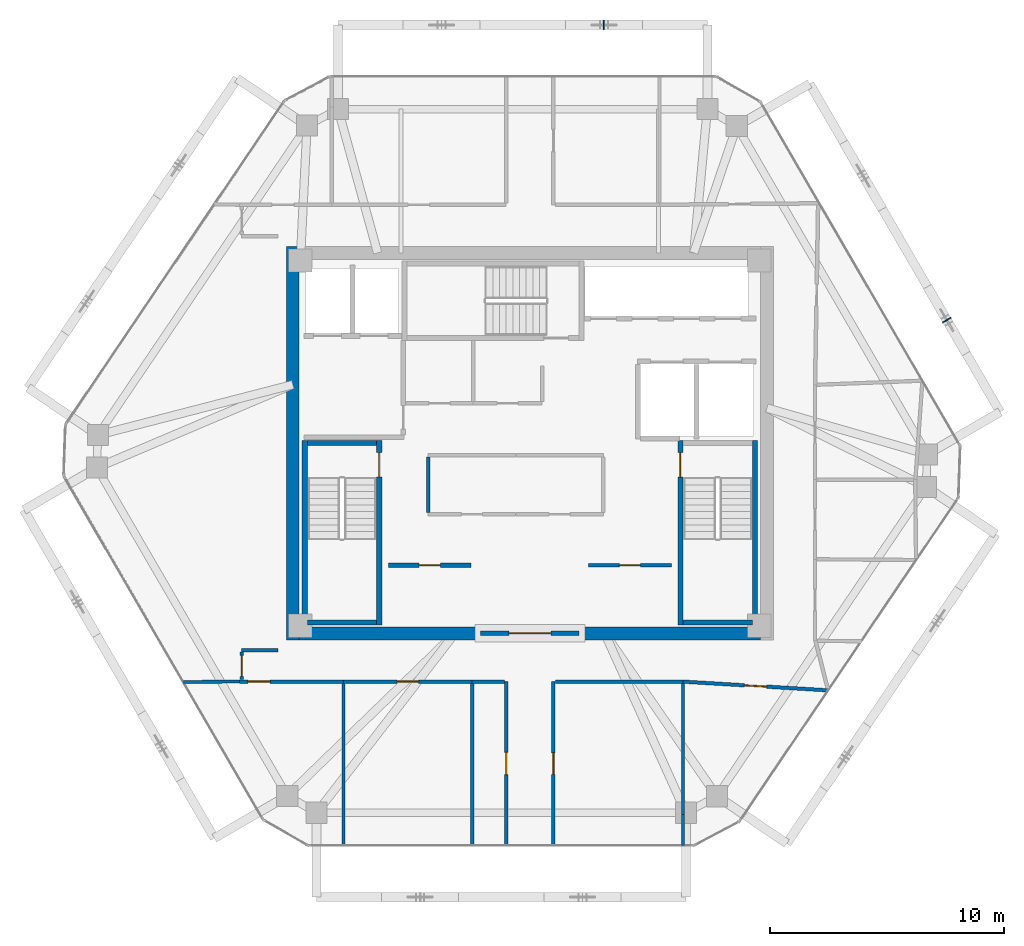
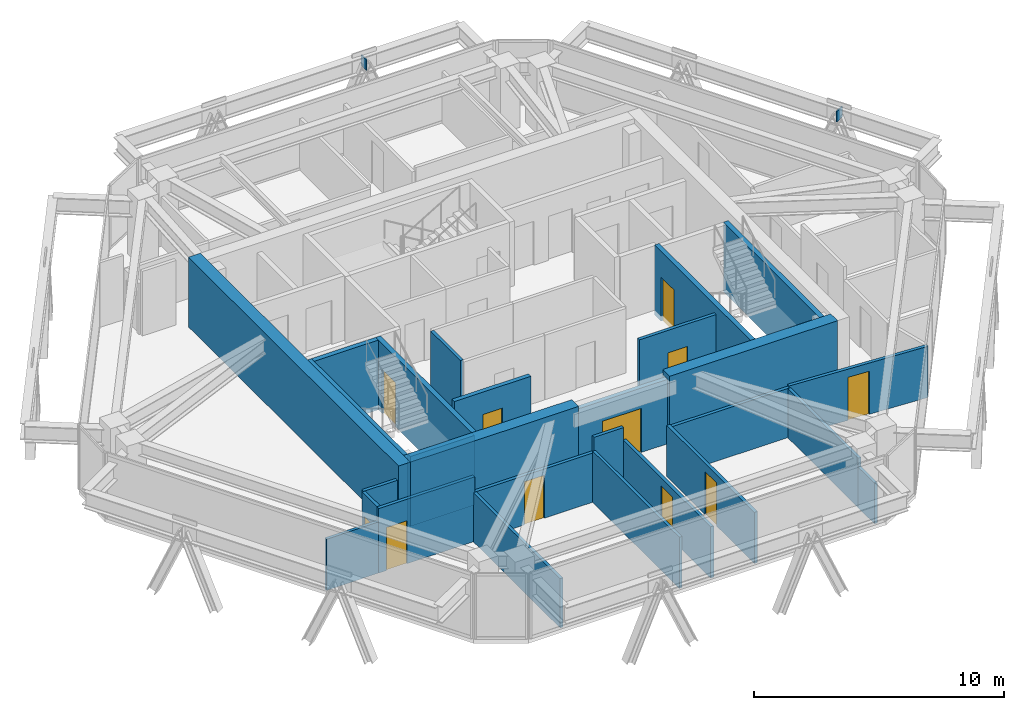
# One storey, part 9 of 13: 28 walls, 11 doors, 2 plates, 11 openings.
"""IFC4 building model written with IfcOpenShell, lengths in metres."""

from ifc_helpers import new_model, si_unit, direction, frame, frame_2d, origin, origin_2d, place, context, subcontext, project, spatial, rectangle, extrude, source, transform, mapped, material, layer, layer_set, type_object, type_shapes, element, fill, save


model = new_model("IFC4")

# Units and contexts
model_context = context("Model", 3, precision=1e-05, world=origin(), true_north=direction((0.0, 1.0)))
body_context = subcontext(model_context, "Body", "Model", "MODEL_VIEW")
ifc_project = project(units=[si_unit("LENGTHUNIT", "METRE"), si_unit("AREAUNIT", "SQUARE_METRE"), si_unit("VOLUMEUNIT", "CUBIC_METRE"), si_unit("PLANEANGLEUNIT", "RADIAN"), si_unit("MASSUNIT", "GRAM", prefix="KILO")], contexts=[model_context])

# Site, building, storey
site_placement = place(None, origin())
site = spatial("IfcSite", under=ifc_project, at=site_placement, CompositionType="ELEMENT")
building_placement = place(site_placement, origin())
building = spatial("IfcBuilding", under=site, at=building_placement, Name="Durnholm Broadcast Tower", CompositionType="ELEMENT")
storey_placement = place(building_placement, frame((0.0, 0.0, 254.699951171875)))
storey = spatial("IfcBuildingStorey", under=building, at=storey_placement, Name="L71", CompositionType="ELEMENT", Elevation=254.699951171875)

# Plates
ifc_material_1 = material(Name="Steel ASTM A572 Grade 50", Category="steel")
ifc_layer_1 = layer(ifc_material_1, 0.044921875)
ifc_layer_set_1 = layer_set([ifc_layer_1], Name="Steel ASTM A572 Grade 50")
plate_type = type_object("IfcPlateType", Name="PLT-KN-STIF", PredefinedType="SHEET", material=ifc_layer_set_1)
shared_shape_1 = source(origin(), body_context, "Body", "SweptSolid", [
    extrude(rectangle(XDim=0.044921875, YDim=0.419921875, at=origin_2d()), origin(), (0.0, 0.0, 1.0), 0.52001953125),
])
type_shapes(plate_type, [shared_shape_1])
for number, where, z_axis, x_axis, name in (
    (1, (17.806640625, 5.2548828125, 2.1484375), (0.0, 0.0, 1.0), (-0.501963660617, 0.864888711581, 0.0), "L71 welded diagrid node stiffener plate F3"),
    (2, (3.164794921875, 17.862060546875, 2.1484375), (0.0, 0.0, 1.0), (-1.0, 0.0, 0.0), "L71 welded diagrid node stiffener plate F4"),
):
    element("IfcPlate", number, at=place(storey_placement, frame(where, z_axis=z_axis, x_axis=x_axis)), inside=storey, type_object=plate_type, Name=name, PredefinedType="SHEET", context=body_context, shape_type="MappedRepresentation", body=[
        mapped(shared_shape_1, transform((0.0, 0.0, 0.0), x_axis=(1.0, 0.0, 0.0), y_axis=(0.0, 1.0, 0.0), z_axis=(0.0, 0.0, 1.0), scale=1.0)),
    ])

# Walls
ifc_material_2 = material(Name="Concrete C70/85", Category="concrete")
ifc_layer_2 = layer(ifc_material_2, 0.550048828125)
ifc_layer_set_2 = layer_set([ifc_layer_2], Name="Concrete C70/85")
wall_type_1 = type_object("IfcWallType", Name="WALL-CW-550", PredefinedType="SHEAR", material=ifc_layer_set_2)
wall_1_placement = place(storey_placement, frame((-10.125, -8.39990234375, 0.0), z_axis=(0.0, 0.0, 1.0), x_axis=(0.0, 1.0, 0.0)))
element("IfcWall", 3, at=wall_1_placement, inside=storey, type_object=wall_type_1, Name="L71 central core shear wall CW-WEST", PredefinedType="SHEAR", context=body_context, shape_type="SweptSolid", body=[
    extrude(rectangle(XDim=16.7998046875, YDim=0.550048828125, at=frame_2d((8.39990234375, 0.0))), origin(), (0.0, 0.0, 1.0), 3.400146484375),
])
for number, where, z_axis, x_axis, name in (
    (4, (-9.85009765625, -8.125, 0.0), (0.0, 0.0, 1.0), (1.0, 0.0, 0.0), "L71 central core shear wall CW-S1"),
    (5, (2.10009765625, -8.125, 0.0), (0.0, 0.0, 1.0), (1.0, 0.0, 0.0), "L71 central core shear wall CW-S2"),
):
    element("IfcWall", number, at=place(storey_placement, frame(where, z_axis=z_axis, x_axis=x_axis)), inside=storey, type_object=wall_type_1, Name=name, PredefinedType="SHEAR", context=body_context, shape_type="SweptSolid", body=[
        extrude(rectangle(XDim=7.75, YDim=0.550048828125, at=frame_2d((3.875, 0.0))), origin(), (0.0, 0.0, 1.0), 3.400146484375),
    ])

# Wall, opening, door
ifc_material_3 = material(Name="Fire-Rated Gypsum Shaftwall", Category="concrete")
ifc_layer_3 = layer(ifc_material_3, 0.199951171875)
ifc_layer_set_3 = layer_set([ifc_layer_3], Name="Fire-Rated Gypsum Shaftwall")
wall_type_2 = type_object("IfcWallType", Name="WALL-LOB-200", PredefinedType="SOLIDWALL", material=ifc_layer_set_3)
wall_2_placement = place(storey_placement, frame((-2.10009765625, -8.125, 0.0), z_axis=(0.0, 0.0, 1.0), x_axis=(1.0, 0.0, 0.0)))
wall_2 = element("IfcWall", 6, at=wall_2_placement, inside=storey, type_object=wall_type_2, Name="L71 south core lobby fire screen", PredefinedType="SOLIDWALL", context=body_context, shape_type="SweptSolid", body=[
    extrude(rectangle(XDim=4.2001953125, YDim=0.199951171875, at=frame_2d((2.10009765625, 0.0))), origin(), (0.0, 0.0, 1.0), 3.14501953125),
])
opening_1_placement = place(wall_2_placement, frame((1.199951171875, 0.0, 0.0)))
opening_1 = element("IfcOpeningElement", 7, at=opening_1_placement, cuts=wall_2, Name="Opening DP-60", PredefinedType="OPENING", context=body_context, shape_type="SweptSolid", body=[
    extrude(rectangle(XDim=1.800048828125, YDim=2.14990234375, at=frame_2d((0.89990234375, 1.074951171875))), frame((0.0, 0.10986328125, 0.0), z_axis=(0.0, -1.0, 0.0), x_axis=(1.0, 0.0, 0.0)), (0.0, 0.0, 1.0), 0.219970703125),
])
ifc_material_4 = material(Name="Fire-Rated Double Corridor Door", Category="steel")
ifc_layer_4 = layer(ifc_material_4, 0.050048828125)
ifc_layer_set_4 = layer_set([ifc_layer_4], Name="Fire-Rated Double Corridor Door")
door_type_1 = type_object("IfcDoorType", Name="DOOR-PAIR-FD60", OperationType="DOUBLE_DOOR_SINGLE_SWING", PredefinedType="DOOR", material=ifc_layer_set_4)
shared_shape_2 = source(origin(), body_context, "Body", "SweptSolid", [
    extrude(rectangle(XDim=1.800048828125, YDim=2.14990234375, at=frame_2d((0.89990234375, 1.074951171875))), frame((0.0, 0.02490234375, 0.0), z_axis=(0.0, -1.0, 0.0), x_axis=(1.0, 0.0, 0.0)), (0.0, 0.0, 1.0), 0.050048828125),
])
type_shapes(door_type_1, [shared_shape_2])
door_1_placement = place(opening_1_placement, origin())
door_1 = element("IfcDoor", 8, at=door_1_placement, inside=storey, type_object=door_type_1, Name="L71 south core lobby double fire door", OperationType="DOUBLE_DOOR_SINGLE_SWING", OverallHeight=2.14990234375, OverallWidth=1.800048828125, PredefinedType="DOOR", context=body_context, shape_type="MappedRepresentation", body=[
    mapped(shared_shape_2, transform((0.0, 0.0, 0.0), x_axis=(1.0, 0.0, 0.0), y_axis=(0.0, 1.0, 0.0), z_axis=(0.0, 0.0, 1.0), scale=1.0)),
])
fill(opening_1, door_1)

wall_3_placement = place(storey_placement, frame((-6.0400390625, -5.2099609375, 0.0), z_axis=(0.0, 0.0, 1.0), x_axis=(1.0, 0.0, 0.0)))
wall_3 = element("IfcWall", 9, at=wall_3_placement, inside=storey, type_object=wall_type_2, Name="L71 Broadcast Signal Rack Room corridor partition", PredefinedType="SOLIDWALL", context=body_context, shape_type="SweptSolid", body=[
    extrude(rectangle(XDim=3.530029296875, YDim=0.199951171875, at=frame_2d((1.76513671875, 0.0))), origin(), (0.0, 0.0, 1.0), 3.14501953125),
])
opening_2_placement = place(wall_3_placement, frame((1.31494140625, 0.0, 0.0)))
opening_2 = element("IfcOpeningElement", 10, at=opening_2_placement, cuts=wall_3, Name="Opening DC-60L", PredefinedType="OPENING", context=body_context, shape_type="SweptSolid", body=[
    extrude(rectangle(XDim=0.89990234375, YDim=2.050048828125, at=frame_2d((0.449951171875, 1.02490234375))), frame((0.0, 0.10986328125, 0.0), z_axis=(0.0, -1.0, 0.0), x_axis=(1.0, 0.0, 0.0)), (0.0, 0.0, 1.0), 0.219970703125),
])
ifc_material_5 = material(Name="Fire-Rated Core Service Door", Category="steel")
ifc_layer_5 = layer(ifc_material_5, 0.050048828125)
ifc_layer_set_5 = layer_set([ifc_layer_5], Name="Fire-Rated Core Service Door")
door_type_2 = type_object("IfcDoorType", Name="DOOR-CORE-FD60-L", OperationType="NOTDEFINED", PredefinedType="DOOR", material=ifc_layer_set_5)
shared_shape_3 = source(origin(), body_context, "Body", "SweptSolid", [
    extrude(rectangle(XDim=0.89990234375, YDim=2.050048828125, at=frame_2d((0.449951171875, 1.02490234375))), frame((0.0, 0.02490234375, 0.0), z_axis=(0.0, -1.0, 0.0), x_axis=(1.0, 0.0, 0.0)), (0.0, 0.0, 1.0), 0.050048828125),
])
type_shapes(door_type_2, [shared_shape_3])
door_2_placement = place(opening_2_placement, origin())
door_2 = element("IfcDoor", 11, at=door_2_placement, inside=storey, type_object=door_type_2, Name="L71 Broadcast Signal Rack Room entrance door", OperationType="SINGLE_SWING_LEFT", OverallHeight=2.050048828125, OverallWidth=0.89990234375, PredefinedType="DOOR", context=body_context, shape_type="MappedRepresentation", body=[
    mapped(shared_shape_3, transform((0.0, 0.0, 0.0), x_axis=(1.0, 0.0, 0.0), y_axis=(0.0, 1.0, 0.0), z_axis=(0.0, 0.0, 1.0), scale=1.0)),
])
fill(opening_2, door_2)

# Walls
ifc_material_6 = material(Name="Gypsum Metal Stud Partition", Category="concrete")
ifc_layer_6 = layer(ifc_material_6, 0.135009765625)
ifc_layer_set_6 = layer_set([ifc_layer_6], Name="Gypsum Metal Stud Partition")
wall_type_3 = type_object("IfcWallType", Name="WALL-PART-135", PredefinedType="PARTITIONING", material=ifc_layer_set_6)
wall_4_placement = place(storey_placement, frame((-7.9599609375, -10.259033203125, 0.0), z_axis=(0.0, 0.0, 1.0), x_axis=(0.0, -1.0, 0.0)))
element("IfcWall", 12, at=wall_4_placement, inside=storey, type_object=wall_type_3, Name="L71 room dividing partition 14.15", PredefinedType="PARTITIONING", context=body_context, shape_type="SweptSolid", body=[
    extrude(rectangle(XDim=6.927001953125, YDim=0.135009765625, at=frame_2d((3.46337890625, 0.0))), origin(), (0.0, 0.0, 1.0), 2.4013671875),
])
wall_5_placement = place(storey_placement, frame((-14.801513671875, -10.199951171875, 0.0), z_axis=(0.0, 0.0, 1.0), x_axis=(0.999968020968, 0.007997314604, 0.0)))
element("IfcWall", 13, at=wall_5_placement, inside=storey, type_object=wall_type_3, Name="L71 room dividing partition 14.19", PredefinedType="PARTITIONING", context=body_context, shape_type="SweptSolid", body=[
    extrude(rectangle(XDim=2.41162109375, YDim=0.135009765625, at=frame_2d((1.205810546875, 0.0))), origin(), (0.0, 0.0, 1.0), 2.498779296875),
])
wall_6_placement = place(storey_placement, frame((-2.4599609375, -10.259033203125, 0.0), z_axis=(0.0, 0.0, 1.0), x_axis=(0.0, -1.0, 0.0)))
element("IfcWall", 14, at=wall_6_placement, inside=storey, type_object=wall_type_3, Name="L71 room dividing partition 15.16", PredefinedType="PARTITIONING", context=body_context, shape_type="SweptSolid", body=[
    extrude(rectangle(XDim=6.927001953125, YDim=0.135009765625, at=frame_2d((3.46337890625, 0.0))), origin(), (0.0, 0.0, 1.0), 2.498779296875),
])
wall_7_placement = place(storey_placement, frame((6.5400390625, -10.263916015625, 0.0), z_axis=(0.0, 0.0, 1.0), x_axis=(0.0, -1.0, 0.0)))
element("IfcWall", 15, at=wall_7_placement, inside=storey, type_object=wall_type_3, Name="L71 room dividing partition 17.18", PredefinedType="PARTITIONING", context=body_context, shape_type="SweptSolid", body=[
    extrude(rectangle(XDim=5.606201171875, YDim=0.135009765625, at=frame_2d((2.80322265625, 0.0))), origin(), (0.0, 0.0, 1.0), 2.4013671875),
])
wall_8_placement = place(storey_placement, frame((6.5400390625, -15.8701171875, 0.0), z_axis=(0.0, 0.0, 1.0), x_axis=(0.0, -1.0, 0.0)))
element("IfcWall", 16, at=wall_8_placement, inside=storey, type_object=wall_type_3, Name="L71 room dividing partition 17.18", PredefinedType="PARTITIONING", context=body_context, shape_type="SweptSolid", body=[
    extrude(rectangle(XDim=1.31591796875, YDim=0.135009765625, at=frame_2d((0.657958984375, 0.0))), origin(), (0.0, 0.0, 1.0), 1.97705078125),
])

# Wall, opening, door
ifc_material_7 = material(Name="Acoustic Gypsum Stud Partition", Category="concrete")
ifc_layer_7 = layer(ifc_material_7, 0.14990234375)
ifc_layer_set_7 = layer_set([ifc_layer_7], Name="Acoustic Gypsum Stud Partition")
wall_type_4 = type_object("IfcWallType", Name="WALL-PART-150", PredefinedType="PARTITIONING", material=ifc_layer_set_7)
wall_9_placement = place(storey_placement, frame((2.510009765625, -5.2099609375, 0.0), z_axis=(0.0, 0.0, 1.0), x_axis=(1.0, 0.0, 0.0)))
wall_9 = element("IfcWall", 17, at=wall_9_placement, inside=storey, type_object=wall_type_4, Name="L71 Editorial Beverage Pantry corridor partition", PredefinedType="PARTITIONING", context=body_context, shape_type="SweptSolid", body=[
    extrude(rectangle(XDim=3.530029296875, YDim=0.14990234375, at=frame_2d((1.76513671875, 0.0))), origin(), (0.0, 0.0, 1.0), 3.14501953125),
])
opening_3_placement = place(wall_9_placement, frame((1.31494140625, 0.0, 0.0)))
opening_3 = element("IfcOpeningElement", 18, at=opening_3_placement, cuts=wall_9, Name="Opening DC-60R", PredefinedType="OPENING", context=body_context, shape_type="SweptSolid", body=[
    extrude(rectangle(XDim=0.89990234375, YDim=2.050048828125, at=frame_2d((0.449951171875, 1.02490234375))), frame((0.0, 0.0849609375, 0.0), z_axis=(0.0, -1.0, 0.0), x_axis=(1.0, 0.0, 0.0)), (0.0, 0.0, 1.0), 0.169921875),
])
ifc_layer_8 = layer(ifc_material_5, 0.050048828125)
ifc_layer_set_8 = layer_set([ifc_layer_8], Name="Fire-Rated Core Service Door")
door_type_3 = type_object("IfcDoorType", Name="DOOR-CORE-FD60-R", OperationType="NOTDEFINED", PredefinedType="DOOR", material=ifc_layer_set_8)
shared_shape_4 = source(origin(), body_context, "Body", "SweptSolid", [
    extrude(rectangle(XDim=0.89990234375, YDim=2.050048828125, at=frame_2d((0.449951171875, 1.02490234375))), frame((0.0, 0.02490234375, 0.0), z_axis=(0.0, -1.0, 0.0), x_axis=(1.0, 0.0, 0.0)), (0.0, 0.0, 1.0), 0.050048828125),
])
type_shapes(door_type_3, [shared_shape_4])
door_3_placement = place(opening_3_placement, origin())
door_3 = element("IfcDoor", 19, at=door_3_placement, inside=storey, type_object=door_type_3, Name="L71 Editorial Beverage Pantry entrance door", OperationType="SINGLE_SWING_RIGHT", OverallHeight=2.050048828125, OverallWidth=0.89990234375, PredefinedType="DOOR", context=body_context, shape_type="MappedRepresentation", body=[
    mapped(shared_shape_4, transform((0.0, 0.0, 0.0), x_axis=(1.0, 0.0, 0.0), y_axis=(0.0, 1.0, 0.0), z_axis=(0.0, 0.0, 1.0), scale=1.0)),
])
fill(opening_3, door_3)

# Wall
wall_10_placement = place(storey_placement, frame((-4.340087890625, -2.9609375, 0.0), z_axis=(0.0, 0.0, 1.0), x_axis=(0.0, 1.0, 0.0)))
element("IfcWall", 20, at=wall_10_placement, inside=storey, type_object=wall_type_4, Name="L71 Digital Tape Archive Store corridor partition", PredefinedType="PARTITIONING", context=body_context, shape_type="SweptSolid", body=[
    extrude(rectangle(XDim=2.371826171875, YDim=0.14990234375, at=frame_2d((1.18603515625, 0.0))), origin(), (0.0, 0.0, 1.0), 3.14501953125),
])

# Wall, opening, door
wall_11_placement = place(storey_placement, frame((-12.389892578125, -10.179931640625, 0.0), z_axis=(0.0, 0.0, 1.0), x_axis=(1.0, 0.0, 0.0)))
wall_11 = element("IfcWall", 21, at=wall_11_placement, inside=storey, type_object=wall_type_4, Name="L71 Open Plan Broadcast Workspace 6 corridor partition", PredefinedType="PARTITIONING", context=body_context, shape_type="SweptSolid", body=[
    extrude(rectangle(XDim=4.429931640625, YDim=0.14990234375, at=frame_2d((2.21484375, 0.0))), origin(), (0.0, 0.0, 1.0), 3.14501953125),
])
opening_4_placement = place(wall_11_placement, frame((0.35009765625, 0.0, 0.0)))
opening_4 = element("IfcOpeningElement", 22, at=opening_4_placement, cuts=wall_11, Name="Opening DR-95R", PredefinedType="OPENING", context=body_context, shape_type="SweptSolid", body=[
    extrude(rectangle(XDim=0.949951171875, YDim=2.10009765625, at=frame_2d((0.47509765625, 1.050048828125))), frame((0.0, 0.0849609375, 0.0), z_axis=(0.0, -1.0, 0.0), x_axis=(1.0, 0.0, 0.0)), (0.0, 0.0, 1.0), 0.169921875),
])
ifc_material_8 = material(Name="Acoustic Oak Veneer Timber Door", Category="wood")
ifc_layer_9 = layer(ifc_material_8, 0.050048828125)
ifc_layer_set_9 = layer_set([ifc_layer_9], Name="Acoustic Oak Veneer Timber Door")
door_type_4 = type_object("IfcDoorType", Name="DOOR-RM-950R", OperationType="NOTDEFINED", PredefinedType="DOOR", material=ifc_layer_set_9)
shared_shape_5 = source(origin(), body_context, "Body", "SweptSolid", [
    extrude(rectangle(XDim=0.949951171875, YDim=2.10009765625, at=frame_2d((0.47509765625, 1.050048828125))), frame((0.0, 0.02490234375, 0.0), z_axis=(0.0, -1.0, 0.0), x_axis=(1.0, 0.0, 0.0)), (0.0, 0.0, 1.0), 0.050048828125),
])
type_shapes(door_type_4, [shared_shape_5])
door_4_placement = place(opening_4_placement, origin())
door_4 = element("IfcDoor", 23, at=door_4_placement, inside=storey, type_object=door_type_4, Name="L71 Open Plan Broadcast Workspace 6 entrance door", OperationType="SINGLE_SWING_RIGHT", OverallHeight=2.10009765625, OverallWidth=0.949951171875, PredefinedType="DOOR", context=body_context, shape_type="MappedRepresentation", body=[
    mapped(shared_shape_5, transform((0.0, 0.0, 0.0), x_axis=(1.0, 0.0, 0.0), y_axis=(0.0, 1.0, 0.0), z_axis=(0.0, 0.0, 1.0), scale=1.0)),
])
fill(opening_4, door_4)

wall_12_placement = place(storey_placement, frame((-7.9599609375, -10.179931640625, 0.0), z_axis=(0.0, 0.0, 1.0), x_axis=(1.0, 0.0, 0.0)))
wall_12 = element("IfcWall", 24, at=wall_12_placement, inside=storey, type_object=wall_type_4, Name="L71 Seminar Dining Room corridor partition", PredefinedType="PARTITIONING", context=body_context, shape_type="SweptSolid", body=[
    extrude(rectangle(XDim=5.5, YDim=0.14990234375, at=frame_2d((2.75, 0.0))), origin(), (0.0, 0.0, 1.0), 2.4013671875),
])
opening_5_placement = place(wall_12_placement, frame((2.2900390625, 0.0, 0.0)))
opening_5 = element("IfcOpeningElement", 25, at=opening_5_placement, cuts=wall_12, Name="Opening DR-92L", PredefinedType="OPENING", context=body_context, shape_type="SweptSolid", body=[
    extrude(rectangle(XDim=0.919921875, YDim=2.10009765625, at=frame_2d((0.4599609375, 1.050048828125))), frame((0.0, 0.0849609375, 0.0), z_axis=(0.0, -1.0, 0.0), x_axis=(1.0, 0.0, 0.0)), (0.0, 0.0, 1.0), 0.169921875),
])
ifc_material_9 = material(Name="Oak Veneer Office Door", Category="wood")
ifc_layer_10 = layer(ifc_material_9, 0.050048828125)
ifc_layer_set_10 = layer_set([ifc_layer_10], Name="Oak Veneer Office Door")
door_type_5 = type_object("IfcDoorType", Name="DOOR-RM-920L", OperationType="NOTDEFINED", PredefinedType="DOOR", material=ifc_layer_set_10)
shared_shape_6 = source(origin(), body_context, "Body", "SweptSolid", [
    extrude(rectangle(XDim=0.919921875, YDim=2.10009765625, at=frame_2d((0.4599609375, 1.050048828125))), frame((0.0, 0.02490234375, 0.0), z_axis=(0.0, -1.0, 0.0), x_axis=(1.0, 0.0, 0.0)), (0.0, 0.0, 1.0), 0.050048828125),
])
type_shapes(door_type_5, [shared_shape_6])
door_5_placement = place(opening_5_placement, origin())
door_5 = element("IfcDoor", 26, at=door_5_placement, inside=storey, type_object=door_type_5, Name="L71 Seminar Dining Room entrance door", OperationType="SINGLE_SWING_LEFT", OverallHeight=2.10009765625, OverallWidth=0.919921875, PredefinedType="DOOR", context=body_context, shape_type="MappedRepresentation", body=[
    mapped(shared_shape_6, transform((0.0, 0.0, 0.0), x_axis=(1.0, 0.0, 0.0), y_axis=(0.0, 1.0, 0.0), z_axis=(0.0, 0.0, 1.0), scale=1.0)),
])
fill(opening_5, door_5)

wall_13_placement = place(storey_placement, frame((-1.010009765625, -10.179931640625, 0.0), z_axis=(0.0, 0.0, 1.0), x_axis=(0.0, -1.0, 0.0)))
wall_13 = element("IfcWall", 27, at=wall_13_placement, inside=storey, type_object=wall_type_4, Name="L71 Fellows Kitchen corridor partition", PredefinedType="PARTITIONING", context=body_context, shape_type="SweptSolid", body=[
    extrude(rectangle(XDim=7.006103515625, YDim=0.14990234375, at=frame_2d((3.5029296875, 0.0))), origin(), (0.0, 0.0, 1.0), 2.498779296875),
])
opening_6_placement = place(wall_13_placement, frame((3.028076171875, 0.0, 0.0)))
opening_6 = element("IfcOpeningElement", 28, at=opening_6_placement, cuts=wall_13, Name="Opening DR-95R", PredefinedType="OPENING", context=body_context, shape_type="SweptSolid", body=[
    extrude(rectangle(XDim=0.949951171875, YDim=2.10009765625, at=frame_2d((0.47509765625, 1.050048828125))), frame((0.0, 0.0849609375, 0.0), z_axis=(0.0, -1.0, 0.0), x_axis=(1.0, 0.0, 0.0)), (0.0, 0.0, 1.0), 0.169921875),
])
door_6_placement = place(opening_6_placement, origin())
door_6 = element("IfcDoor", 29, at=door_6_placement, inside=storey, type_object=door_type_4, Name="L71 Fellows Kitchen entrance door", OperationType="SINGLE_SWING_RIGHT", OverallHeight=2.10009765625, OverallWidth=0.949951171875, PredefinedType="DOOR", context=body_context, shape_type="MappedRepresentation", body=[
    mapped(shared_shape_5, transform((0.0, 0.0, 0.0), x_axis=(1.0, 0.0, 0.0), y_axis=(0.0, 1.0, 0.0), z_axis=(0.0, 0.0, 1.0), scale=1.0)),
])
fill(opening_6, door_6)

# Wall
wall_14_placement = place(storey_placement, frame((-2.4599609375, -10.179931640625, 0.0), z_axis=(0.0, 0.0, 1.0), x_axis=(1.0, 0.0, 0.0)))
element("IfcWall", 30, at=wall_14_placement, inside=storey, type_object=wall_type_4, Name="L71 Fellows Kitchen corridor partition", PredefinedType="PARTITIONING", context=body_context, shape_type="SweptSolid", body=[
    extrude(rectangle(XDim=1.370849609375, YDim=0.14990234375, at=frame_2d((0.685546875, 0.0))), origin(), (0.0, 0.0, 1.0), 3.14501953125),
])

# Wall, opening, door
wall_15_placement = place(storey_placement, frame((1.010009765625, -17.18603515625, 0.0), z_axis=(0.0, 0.0, 1.0), x_axis=(0.0, 1.0, 0.0)))
wall_15 = element("IfcWall", 31, at=wall_15_placement, inside=storey, type_object=wall_type_4, Name="L71 Fellows Meeting Room 1 corridor partition", PredefinedType="PARTITIONING", context=body_context, shape_type="SweptSolid", body=[
    extrude(rectangle(XDim=7.006103515625, YDim=0.14990234375, at=frame_2d((3.5029296875, 0.0))), origin(), (0.0, 0.0, 1.0), 2.498779296875),
])
opening_7_placement = place(wall_15_placement, frame((3.04296875, 0.0, 0.0)))
opening_7 = element("IfcOpeningElement", 32, at=opening_7_placement, cuts=wall_15, Name="Opening DR-92L", PredefinedType="OPENING", context=body_context, shape_type="SweptSolid", body=[
    extrude(rectangle(XDim=0.919921875, YDim=2.10009765625, at=frame_2d((0.4599609375, 1.050048828125))), frame((0.0, 0.0849609375, 0.0), z_axis=(0.0, -1.0, 0.0), x_axis=(1.0, 0.0, 0.0)), (0.0, 0.0, 1.0), 0.169921875),
])
door_7_placement = place(opening_7_placement, origin())
door_7 = element("IfcDoor", 33, at=door_7_placement, inside=storey, type_object=door_type_5, Name="L71 Fellows Meeting Room 1 entrance door", OperationType="SINGLE_SWING_LEFT", OverallHeight=2.10009765625, OverallWidth=0.919921875, PredefinedType="DOOR", context=body_context, shape_type="MappedRepresentation", body=[
    mapped(shared_shape_6, transform((0.0, 0.0, 0.0), x_axis=(1.0, 0.0, 0.0), y_axis=(0.0, 1.0, 0.0), z_axis=(0.0, 0.0, 1.0), scale=1.0)),
])
fill(opening_7, door_7)

# Wall
wall_16_placement = place(storey_placement, frame((1.089111328125, -10.179931640625, 0.0), z_axis=(0.0, 0.0, 1.0), x_axis=(1.0, 0.0, 0.0)))
element("IfcWall", 34, at=wall_16_placement, inside=storey, type_object=wall_type_4, Name="L71 Fellows Meeting Room 1 corridor partition", PredefinedType="PARTITIONING", context=body_context, shape_type="SweptSolid", body=[
    extrude(rectangle(XDim=5.450927734375, YDim=0.14990234375, at=frame_2d((2.7255859375, 0.0))), origin(), (0.0, 0.0, 1.0), 2.4013671875),
])

# Wall, opening, door
wall_17_placement = place(storey_placement, frame((6.5400390625, -10.184814453125, 0.0), z_axis=(0.0, 0.0, 1.0), x_axis=(0.9981941592, -0.060070130174, 0.0)))
wall_17 = element("IfcWall", 35, at=wall_17_placement, inside=storey, type_object=wall_type_4, Name="L71 Fellows Meeting Room 2 corridor partition", PredefinedType="PARTITIONING", context=body_context, shape_type="SweptSolid", body=[
    extrude(rectangle(XDim=6.210205078125, YDim=0.14990234375, at=frame_2d((3.10498046875, 0.0))), origin(), (0.0, 0.0, 1.0), 2.498779296875),
])
opening_8_placement = place(wall_17_placement, frame((2.630126953125, 0.0, 0.0)))
opening_8 = element("IfcOpeningElement", 36, at=opening_8_placement, cuts=wall_17, Name="Opening DR-95R", PredefinedType="OPENING", context=body_context, shape_type="SweptSolid", body=[
    extrude(rectangle(XDim=0.949951171875, YDim=2.10009765625, at=frame_2d((0.47509765625, 1.050048828125))), frame((0.0, 0.0849609375, 0.0), z_axis=(0.0, -1.0, 0.0), x_axis=(1.0, 0.0, 0.0)), (0.0, 0.0, 1.0), 0.169921875),
])
door_8_placement = place(opening_8_placement, origin())
door_8 = element("IfcDoor", 37, at=door_8_placement, inside=storey, type_object=door_type_4, Name="L71 Fellows Meeting Room 2 entrance door", OperationType="SINGLE_SWING_RIGHT", OverallHeight=2.10009765625, OverallWidth=0.949951171875, PredefinedType="DOOR", context=body_context, shape_type="MappedRepresentation", body=[
    mapped(shared_shape_5, transform((0.0, 0.0, 0.0), x_axis=(1.0, 0.0, 0.0), y_axis=(0.0, 1.0, 0.0), z_axis=(0.0, 0.0, 1.0), scale=1.0)),
])
fill(opening_8, door_8)

# Wall
wall_18_placement = place(storey_placement, frame((-10.760009765625, -8.840087890625, 0.0), z_axis=(0.0, 0.0, 1.0), x_axis=(-1.0, 0.0, 0.0)))
element("IfcWall", 38, at=wall_18_placement, inside=storey, type_object=wall_type_4, Name="L71 Fellows Meeting Room 3 corridor partition", PredefinedType="PARTITIONING", context=body_context, shape_type="SweptSolid", body=[
    extrude(rectangle(XDim=1.550048828125, YDim=0.14990234375, at=frame_2d((0.77490234375, 0.0))), origin(), (0.0, 0.0, 1.0), 3.14501953125),
])

# Wall, opening, door
wall_19_placement = place(storey_placement, frame((-12.31005859375, -8.9189453125, 0.0), z_axis=(0.0, 0.0, 1.0), x_axis=(0.0, -1.0, 0.0)))
wall_19 = element("IfcWall", 39, at=wall_19_placement, inside=storey, type_object=wall_type_4, Name="L71 Fellows Meeting Room 3 corridor partition", PredefinedType="PARTITIONING", context=body_context, shape_type="SweptSolid", body=[
    extrude(rectangle(XDim=1.18212890625, YDim=0.14990234375, at=frame_2d((0.591064453125, 0.0))), origin(), (0.0, 0.0, 1.0), 3.14501953125),
])
opening_9_placement = place(wall_19_placement, frame((0.14111328125, 0.0, 0.0)))
opening_9 = element("IfcOpeningElement", 40, at=opening_9_placement, cuts=wall_19, Name="Opening DW-90R", PredefinedType="OPENING", context=body_context, shape_type="SweptSolid", body=[
    extrude(rectangle(XDim=0.89990234375, YDim=2.050048828125, at=frame_2d((0.449951171875, 1.02490234375))), frame((0.0, 0.0849609375, 0.0), z_axis=(0.0, -1.0, 0.0), x_axis=(1.0, 0.0, 0.0)), (0.0, 0.0, 1.0), 0.169921875),
])
ifc_material_10 = material(Name="Laminate Restroom Door", Category="steel")
ifc_layer_11 = layer(ifc_material_10, 0.050048828125)
ifc_layer_set_11 = layer_set([ifc_layer_11], Name="Laminate Restroom Door")
door_type_6 = type_object("IfcDoorType", Name="DOOR-WC-900R", OperationType="NOTDEFINED", PredefinedType="DOOR", material=ifc_layer_set_11)
shared_shape_7 = source(origin(), body_context, "Body", "SweptSolid", [
    extrude(rectangle(XDim=0.89990234375, YDim=2.050048828125, at=frame_2d((0.449951171875, 1.02490234375))), frame((0.0, 0.02490234375, 0.0), z_axis=(0.0, -1.0, 0.0), x_axis=(1.0, 0.0, 0.0)), (0.0, 0.0, 1.0), 0.050048828125),
])
type_shapes(door_type_6, [shared_shape_7])
door_9_placement = place(opening_9_placement, origin())
door_9 = element("IfcDoor", 41, at=door_9_placement, inside=storey, type_object=door_type_6, Name="L71 Fellows Meeting Room 3 entrance door", OperationType="SINGLE_SWING_RIGHT", OverallHeight=2.050048828125, OverallWidth=0.89990234375, PredefinedType="DOOR", context=body_context, shape_type="MappedRepresentation", body=[
    mapped(shared_shape_7, transform((0.0, 0.0, 0.0), x_axis=(1.0, 0.0, 0.0), y_axis=(0.0, 1.0, 0.0), z_axis=(0.0, 0.0, 1.0), scale=1.0)),
])
fill(opening_9, door_9)

ifc_material_11 = material(Name="Concrete C50/60", Category="concrete")
ifc_layer_12 = layer(ifc_material_11, 0.219970703125)
ifc_layer_set_12 = layer_set([ifc_layer_12], Name="Concrete C50/60")
wall_type_5 = type_object("IfcWallType", Name="WALL-SW-220", PredefinedType="SHEAR", material=ifc_layer_set_12)
wall_20_placement = place(storey_placement, frame((-6.429931640625, -7.77001953125, -0.239990234375), z_axis=(0.0, 0.0, 1.0), x_axis=(0.0, 1.0, 0.0)))
wall_20 = element("IfcWall", 42, at=wall_20_placement, inside=storey, type_object=wall_type_5, Name="L71 stair ST-1 structural shaft wall E", PredefinedType="SHEAR", context=body_context, shape_type="SweptSolid", body=[
    extrude(rectangle(XDim=7.89013671875, YDim=0.219970703125, at=frame_2d((3.945068359375, 0.0))), origin(), (0.0, 0.0, 1.0), 3.400146484375),
])
opening_10_placement = place(wall_20_placement, frame((6.320068359375, 0.0, 0.0)))
opening_10 = element("IfcOpeningElement", 43, at=opening_10_placement, cuts=wall_20, Name="Opening DS-90L", PredefinedType="OPENING", context=body_context, shape_type="SweptSolid", body=[
    extrude(rectangle(XDim=1.050048828125, YDim=2.14990234375, at=frame_2d((0.52490234375, 1.074951171875))), frame((0.0, 0.1201171875, 0.0), z_axis=(0.0, -1.0, 0.0), x_axis=(1.0, 0.0, 0.0)), (0.0, 0.0, 1.0), 0.239990234375),
])
ifc_material_12 = material(Name="Fire-Rated Steel Door", Category="steel")
ifc_layer_13 = layer(ifc_material_12, 0.050048828125)
ifc_layer_set_13 = layer_set([ifc_layer_13], Name="Fire-Rated Steel Door")
door_type_7 = type_object("IfcDoorType", Name="DOOR-ST-FD90-L", OperationType="NOTDEFINED", PredefinedType="DOOR", material=ifc_layer_set_13)
shared_shape_8 = source(origin(), body_context, "Body", "SweptSolid", [
    extrude(rectangle(XDim=1.050048828125, YDim=2.14990234375, at=frame_2d((0.52490234375, 1.074951171875))), frame((0.0, 0.02490234375, 0.0), z_axis=(0.0, -1.0, 0.0), x_axis=(1.0, 0.0, 0.0)), (0.0, 0.0, 1.0), 0.050048828125),
])
type_shapes(door_type_7, [shared_shape_8])
door_10_placement = place(opening_10_placement, origin())
door_10 = element("IfcDoor", 44, at=door_10_placement, inside=storey, type_object=door_type_7, Name="L71 exit stair ST-1 fire door", OperationType="SINGLE_SWING_LEFT", OverallHeight=2.14990234375, OverallWidth=1.050048828125, PredefinedType="DOOR", context=body_context, shape_type="MappedRepresentation", body=[
    mapped(shared_shape_8, transform((0.0, 0.0, 0.0), x_axis=(1.0, 0.0, 0.0), y_axis=(0.0, 1.0, 0.0), z_axis=(0.0, 0.0, 1.0), scale=1.0)),
])
fill(opening_10, door_10)

# Walls
wall_21_placement = place(storey_placement, frame((-9.610107421875, 0.1201171875, -0.239990234375), z_axis=(0.0, 0.0, 1.0), x_axis=(0.0, -1.0, 0.0)))
element("IfcWall", 45, at=wall_21_placement, inside=storey, type_object=wall_type_5, Name="L71 stair ST-1 structural shaft wall W", PredefinedType="SHEAR", context=body_context, shape_type="SweptSolid", body=[
    extrude(rectangle(XDim=7.89013671875, YDim=0.219970703125, at=frame_2d((3.945068359375, 0.0))), origin(), (0.0, 0.0, 1.0), 3.400146484375),
])
for number, where, z_axis, x_axis, name in (
    (46, (-9.5, -7.659912109375, -0.239990234375), (0.0, 0.0, 1.0), (1.0, 0.0, 0.0), "L71 stair ST-1 structural shaft wall S"),
    (47, (-6.5400390625, 0.010009765625, -0.239990234375), (0.0, 0.0, 1.0), (-1.0, 0.0, 0.0), "L71 stair ST-1 structural shaft wall N"),
):
    element("IfcWall", number, at=place(storey_placement, frame(where, z_axis=z_axis, x_axis=x_axis)), inside=storey, type_object=wall_type_5, Name=name, PredefinedType="SHEAR", context=body_context, shape_type="SweptSolid", body=[
        extrude(rectangle(XDim=2.9599609375, YDim=0.219970703125, at=frame_2d((1.47998046875, 0.0))), origin(), (0.0, 0.0, 1.0), 3.400146484375),
    ])
wall_22_placement = place(storey_placement, frame((9.610107421875, -7.77001953125, -0.239990234375), z_axis=(0.0, 0.0, 1.0), x_axis=(0.0, 1.0, 0.0)))
element("IfcWall", 48, at=wall_22_placement, inside=storey, type_object=wall_type_5, Name="L71 stair ST-2 structural shaft wall E", PredefinedType="SHEAR", context=body_context, shape_type="SweptSolid", body=[
    extrude(rectangle(XDim=7.89013671875, YDim=0.219970703125, at=frame_2d((3.945068359375, 0.0))), origin(), (0.0, 0.0, 1.0), 3.400146484375),
])

# Wall, opening, door
wall_23_placement = place(storey_placement, frame((6.429931640625, 0.1201171875, -0.239990234375), z_axis=(0.0, 0.0, 1.0), x_axis=(0.0, -1.0, 0.0)))
wall_23 = element("IfcWall", 49, at=wall_23_placement, inside=storey, type_object=wall_type_5, Name="L71 stair ST-2 structural shaft wall W", PredefinedType="SHEAR", context=body_context, shape_type="SweptSolid", body=[
    extrude(rectangle(XDim=7.89013671875, YDim=0.219970703125, at=frame_2d((3.945068359375, 0.0))), origin(), (0.0, 0.0, 1.0), 3.400146484375),
])
opening_11_placement = place(wall_23_placement, frame((0.52001953125, 0.0, 0.0)))
opening_11 = element("IfcOpeningElement", 50, at=opening_11_placement, cuts=wall_23, Name="Opening DS-90R", PredefinedType="OPENING", context=body_context, shape_type="SweptSolid", body=[
    extrude(rectangle(XDim=1.050048828125, YDim=2.14990234375, at=frame_2d((0.52490234375, 1.074951171875))), frame((0.0, 0.1201171875, 0.0), z_axis=(0.0, -1.0, 0.0), x_axis=(1.0, 0.0, 0.0)), (0.0, 0.0, 1.0), 0.239990234375),
])
ifc_layer_14 = layer(ifc_material_12, 0.050048828125)
ifc_layer_set_14 = layer_set([ifc_layer_14], Name="Fire-Rated Steel Door")
door_type_8 = type_object("IfcDoorType", Name="DOOR-ST-FD90-R", OperationType="NOTDEFINED", PredefinedType="DOOR", material=ifc_layer_set_14)
shared_shape_9 = source(origin(), body_context, "Body", "SweptSolid", [
    extrude(rectangle(XDim=1.050048828125, YDim=2.14990234375, at=frame_2d((0.52490234375, 1.074951171875))), frame((0.0, 0.02490234375, 0.0), z_axis=(0.0, -1.0, 0.0), x_axis=(1.0, 0.0, 0.0)), (0.0, 0.0, 1.0), 0.050048828125),
])
type_shapes(door_type_8, [shared_shape_9])
door_11_placement = place(opening_11_placement, origin())
door_11 = element("IfcDoor", 51, at=door_11_placement, inside=storey, type_object=door_type_8, Name="L71 exit stair ST-2 fire door", OperationType="SINGLE_SWING_RIGHT", OverallHeight=2.14990234375, OverallWidth=1.050048828125, PredefinedType="DOOR", context=body_context, shape_type="MappedRepresentation", body=[
    mapped(shared_shape_9, transform((0.0, 0.0, 0.0), x_axis=(1.0, 0.0, 0.0), y_axis=(0.0, 1.0, 0.0), z_axis=(0.0, 0.0, 1.0), scale=1.0)),
])
fill(opening_11, door_11)

# Wall
wall_24_placement = place(storey_placement, frame((6.5400390625, -7.659912109375, -0.239990234375), z_axis=(0.0, 0.0, 1.0), x_axis=(1.0, 0.0, 0.0)))
element("IfcWall", 52, at=wall_24_placement, inside=storey, type_object=wall_type_5, Name="L71 stair ST-2 structural shaft wall S", PredefinedType="SHEAR", context=body_context, shape_type="SweptSolid", body=[
    extrude(rectangle(XDim=2.9599609375, YDim=0.219970703125, at=frame_2d((1.47998046875, 0.0))), origin(), (0.0, 0.0, 1.0), 3.400146484375),
])

save(model, "model.ifc")
